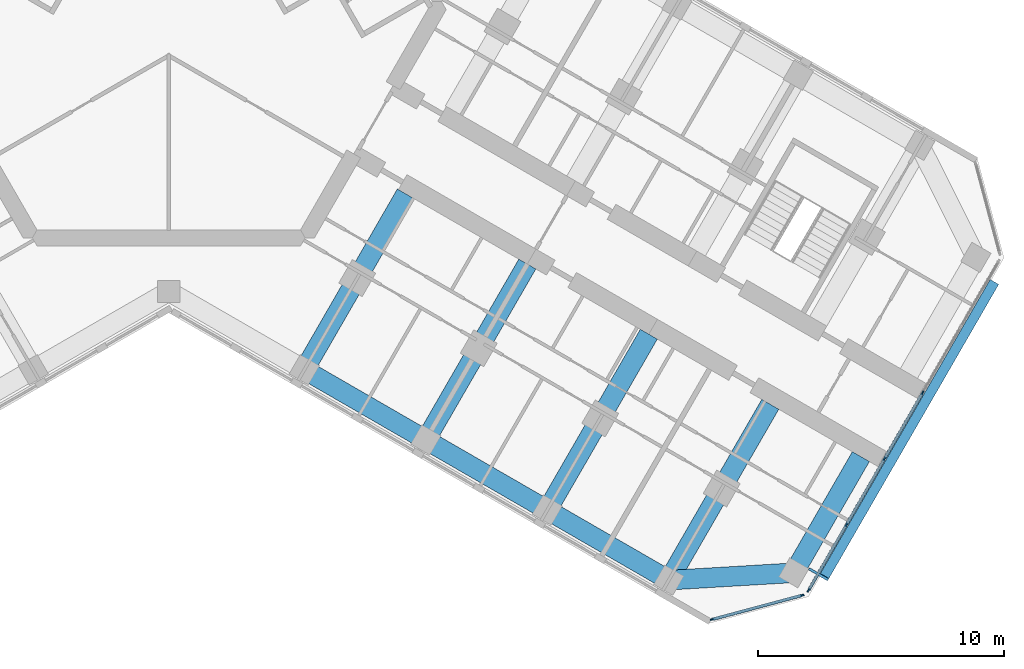
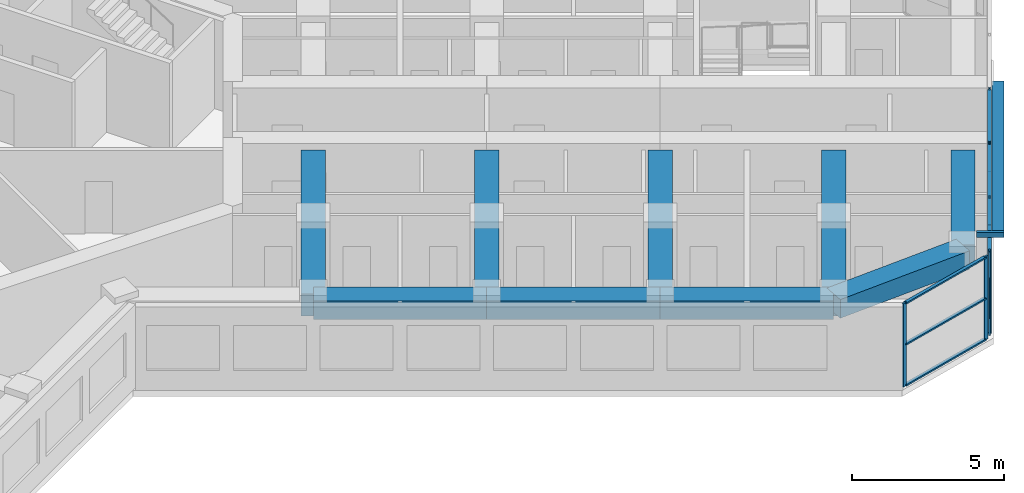
# One storey, part 4 of 16: 17 members, 9 beams, 2 elements without a shape of their own.
"""IFC4 building model written with IfcOpenShell, lengths in metres."""

from ifc_helpers import new_model, si_unit, direction, frame, origin, origin_2d, place, context, subcontext, project, spatial, rectangle, hollow_rectangle, extrude, material, material_profile, profile_set, type_object, element, aggregate, save


model = new_model("IFC4")

# Units and contexts
model_context = context("Model", 3, precision=1e-05, world=origin(), true_north=direction((0.0, 1.0)))
body_context = subcontext(model_context, "Body", "Model", "MODEL_VIEW")
ifc_project = project(units=[si_unit("LENGTHUNIT", "METRE"), si_unit("AREAUNIT", "SQUARE_METRE"), si_unit("VOLUMEUNIT", "CUBIC_METRE"), si_unit("PLANEANGLEUNIT", "RADIAN"), si_unit("MASSUNIT", "GRAM", prefix="KILO")], contexts=[model_context])

# Site, building, storey
site_placement = place(None, origin())
site = spatial("IfcSite", under=ifc_project, at=site_placement, CompositionType="ELEMENT")
building_placement = place(site_placement, origin())
building = spatial("IfcBuilding", under=site, at=building_placement, Name="Kosmar Iwan School Tower", CompositionType="ELEMENT")
storey_placement = place(building_placement, frame((0.0, 0.0, 197.39990234375)))
storey = spatial("IfcBuildingStorey", under=building, at=storey_placement, Name="L49", CompositionType="ELEMENT", Elevation=197.39990234375)

# Members
ifc_material_1 = material(Name="Black anodised aluminium", Category="aluminium")
ifc_material_profile_1 = material_profile(ifc_material_1, rectangle(XDim=0.10009765625, YDim=0.39990234375, at=origin_2d()), Name="FIN 100x400")
ifc_profile_set_1 = profile_set([ifc_material_profile_1], Name="Black anodised aluminium")
member_type_1 = type_object("IfcMemberType", Name="Diagonal fin 100x400", PredefinedType="USERDEFINED", material=ifc_profile_set_1)
member_1_placement = place(storey_placement, frame((33.54345703125, -11.40087890625, -0.14990234375), z_axis=(-0.483793446988, -0.837970316603, 0.25248692866), x_axis=(0.126241714543, 0.218661104574, 0.96760030532)))
element("IfcMember", 1, at=member_1_placement, inside=storey, type_object=member_type_1, Name="Diagonal fin L49-F01", ObjectType="FIN", PredefinedType="USERDEFINED", context=body_context, shape_type="SweptSolid", body=[
    extrude(rectangle(XDim=0.10009765625, YDim=0.39990234375, at=origin_2d()), origin(), (0.0, 0.0, 1.0), 14.258544921875),
])
ifc_material_2 = material(Name="Steel S355", Category="steel")
ifc_material_profile_2 = material_profile(ifc_material_2, hollow_rectangle(XDim=0.10009765625, YDim=0.199951171875, WallThickness=0.008056640625, at=origin_2d()), Name="RHS 200x100x8")
ifc_profile_set_2 = profile_set([ifc_material_profile_2], Name="Steel S355")
member_type_2 = type_object("IfcMemberType", Name="Fin bracket RHS 200x100", PredefinedType="USERDEFINED", material=ifc_profile_set_2)
member_2_placement = place(storey_placement, frame((26.01318359375, -23.0439453125, 3.47509765625), z_axis=(0.866013897511, -0.50001992892, 0.0), x_axis=(0.50001992892, 0.866013897511, 0.0)))
element("IfcMember", 2, at=member_2_placement, inside=storey, type_object=member_type_2, Name="Fin bracket L50", ObjectType="FIN BRACKET", PredefinedType="USERDEFINED", context=body_context, shape_type="SweptSolid", body=[
    extrude(hollow_rectangle(XDim=0.10009765625, YDim=0.199951171875, WallThickness=0.008056640625, at=origin_2d()), origin(), (0.0, 0.0, 1.0), 0.89990234375),
])

# Curtain wall, members
ifc_material_3 = material(Name="Dark glass in black aluminium frame", Category="aluminium")
curtain_wall_type_1 = type_object("IfcCurtainWallType", Name="Chamfer curtain wall dark glass", PredefinedType="USERDEFINED", material=ifc_material_3)
curtain_wall_1_placement = place(storey_placement, origin())
curtain_wall_1 = element("IfcCurtainWall", 3, at=curtain_wall_1_placement, inside=storey, type_object=curtain_wall_type_1, Name="Curtain wall L49-F00", ObjectType="FACETED CURTAIN WALL", PredefinedType="USERDEFINED")
ifc_material_4 = material(Name="Black anodised aluminium", Category="aluminium")
ifc_material_profile_3 = material_profile(ifc_material_4, rectangle(XDim=0.06005859375, YDim=0.159912109375, at=origin_2d()), Name="MULLION 60x160")
ifc_profile_set_3 = profile_set([ifc_material_profile_3], Name="Black anodised aluminium")
member_type_3 = type_object("IfcMemberType", Name="Mullion 60x160", PredefinedType="MULLION", material=ifc_profile_set_3)
member_3_placement = place(storey_placement, frame((22.0830078125, -25.102294921875, 0.0), z_axis=(0.0, 0.0, 1.0), x_axis=(-0.258818861462, 0.965925875495, 0.0)))
member_3 = element("IfcMember", 4, at=member_3_placement, type_object=member_type_3, Name="CW2 mullion 1", PredefinedType="MULLION", context=body_context, shape_type="SweptSolid", body=[
    extrude(rectangle(XDim=0.06005859375, YDim=0.159912109375, at=origin_2d()), origin(), (0.0, 0.0, 1.0), 3.35009765625),
])
member_4_placement = place(storey_placement, frame((25.733154296875, -24.124267578125, 0.0), z_axis=(0.0, 0.0, 1.0), x_axis=(-0.258818861462, 0.965925875495, 0.0)))
member_4 = element("IfcMember", 5, at=member_4_placement, type_object=member_type_3, Name="CW2 mullion 2", PredefinedType="MULLION", context=body_context, shape_type="SweptSolid", body=[
    extrude(rectangle(XDim=0.06005859375, YDim=0.159912109375, at=origin_2d()), origin(), (0.0, 0.0, 1.0), 3.35009765625),
])

ifc_material_5 = material(Name="Dark glass in black aluminium frame", Category="aluminium")
curtain_wall_type_2 = type_object("IfcCurtainWallType", Name="Tower curtain wall dark glass", PredefinedType="USERDEFINED", material=ifc_material_5)
curtain_wall_2_placement = place(storey_placement, origin())
curtain_wall_2 = element("IfcCurtainWall", 6, at=curtain_wall_2_placement, inside=storey, type_object=curtain_wall_type_2, Name="Curtain wall L49-F01", ObjectType="UNITISED CURTAIN WALL", PredefinedType="USERDEFINED")
member_5_placement = place(storey_placement, frame((25.9970703125, -23.921630859375, 0.0), z_axis=(0.0, 0.0, 1.0), x_axis=(-0.866025405329, 0.499999997325, 0.0)))
member_5 = element("IfcMember", 7, at=member_5_placement, type_object=member_type_3, Name="CW1 mullion 1", PredefinedType="MULLION", context=body_context, shape_type="SweptSolid", body=[
    extrude(rectangle(XDim=0.06005859375, YDim=0.159912109375, at=origin_2d()), origin(), (0.0, 0.0, 1.0), 3.35009765625),
])
member_6_placement = place(storey_placement, frame((27.53173828125, -21.263671875, 0.0), z_axis=(0.0, 0.0, 1.0), x_axis=(-0.866025405329, 0.499999997325, 0.0)))
member_6 = element("IfcMember", 8, at=member_6_placement, type_object=member_type_3, Name="CW1 mullion 2", PredefinedType="MULLION", context=body_context, shape_type="SweptSolid", body=[
    extrude(rectangle(XDim=0.06005859375, YDim=0.159912109375, at=origin_2d()), origin(), (0.0, 0.0, 1.0), 3.35009765625),
])
member_7_placement = place(storey_placement, frame((29.081298828125, -18.57958984375, 0.0), z_axis=(0.0, 0.0, 1.0), x_axis=(-0.866025405329, 0.499999997325, 0.0)))
member_7 = element("IfcMember", 9, at=member_7_placement, type_object=member_type_3, Name="CW1 mullion 3", PredefinedType="MULLION", context=body_context, shape_type="SweptSolid", body=[
    extrude(rectangle(XDim=0.06005859375, YDim=0.159912109375, at=origin_2d()), origin(), (0.0, 0.0, 1.0), 3.35009765625),
])
member_8_placement = place(storey_placement, frame((30.631103515625, -15.8955078125, 0.0), z_axis=(0.0, 0.0, 1.0), x_axis=(-0.866025405329, 0.499999997325, 0.0)))
member_8 = element("IfcMember", 10, at=member_8_placement, type_object=member_type_3, Name="CW1 mullion 4", PredefinedType="MULLION", context=body_context, shape_type="SweptSolid", body=[
    extrude(rectangle(XDim=0.06005859375, YDim=0.159912109375, at=origin_2d()), origin(), (0.0, 0.0, 1.0), 3.35009765625),
])

# Beams
ifc_material_6 = material(Name="Concrete C50/60", Category="concrete")
ifc_material_profile_4 = material_profile(ifc_material_6, rectangle(XDim=0.800048828125, YDim=0.75, at=origin_2d()), Name="RC 800x750")
ifc_profile_set_4 = profile_set([ifc_material_profile_4], Name="Concrete C50/60")
beam_type_1 = type_object("IfcBeamType", Name="RC edge beam 800x750", PredefinedType="BEAM", material=ifc_profile_set_4)
beam_1_placement = place(storey_placement, frame((5.5087890625, -14.95849609375, 2.97509765625), z_axis=(0.866033658841, -0.49998570155, 0.0), x_axis=(0.49998570155, 0.866033658841, 0.0)))
element("IfcBeam", 11, at=beam_1_placement, inside=storey, type_object=beam_type_1, Name="Edge beam CR2", PredefinedType="BEAM", context=body_context, shape_type="SweptSolid", body=[
    extrude(rectangle(XDim=0.800048828125, YDim=0.75, at=origin_2d()), origin(), (0.0, 0.0, 1.0), 5.699951171875),
])
beam_2_placement = place(storey_placement, frame((10.445068359375, -17.808349609375, 2.97509765625), z_axis=(0.866025820012, -0.499999279071, 0.0), x_axis=(0.499999279071, 0.866025820012, 0.0)))
element("IfcBeam", 12, at=beam_2_placement, inside=storey, type_object=beam_type_1, Name="Edge beam CR3", PredefinedType="BEAM", context=body_context, shape_type="SweptSolid", body=[
    extrude(rectangle(XDim=0.800048828125, YDim=0.75, at=origin_2d()), origin(), (0.0, 0.0, 1.0), 5.7001953125),
])
beam_3_placement = place(storey_placement, frame((15.381591796875, -20.658447265625, 2.97509765625), z_axis=(0.866015111908, -0.50001782563, 0.0), x_axis=(0.50001782563, 0.866015111908, 0.0)))
element("IfcBeam", 13, at=beam_3_placement, inside=storey, type_object=beam_type_1, Name="Edge beam CR4", PredefinedType="BEAM", context=body_context, shape_type="SweptSolid", body=[
    extrude(rectangle(XDim=0.800048828125, YDim=0.75, at=origin_2d()), origin(), (0.0, 0.0, 1.0), 5.699951171875),
])
ifc_material_7 = material(Name="Concrete C50/60", Category="concrete")
ifc_material_profile_5 = material_profile(ifc_material_7, rectangle(XDim=0.800048828125, YDim=0.75, at=origin_2d()), Name="RC 800x750")
ifc_profile_set_5 = profile_set([ifc_material_profile_5], Name="Concrete C50/60")
beam_type_2 = type_object("IfcBeamType", Name="RC tip beam 800x750", PredefinedType="BEAM", material=ifc_profile_set_5)
beam_4_placement = place(storey_placement, frame((20.31787109375, -23.508544921875, 2.97509765625), z_axis=(0.998260616478, 0.058955420358, 0.0), x_axis=(-0.058955420358, 0.998260616478, 0.0)))
element("IfcBeam", 14, at=beam_4_placement, inside=storey, type_object=beam_type_2, Name="Tip beam CR", PredefinedType="BEAM", context=body_context, shape_type="SweptSolid", body=[
    extrude(rectangle(XDim=0.800048828125, YDim=0.75, at=origin_2d()), origin(), (0.0, 0.0, 1.0), 5.08935546875),
])
beam_5_placement = place(storey_placement, frame((25.3984375, -23.20849609375, 2.97509765625), z_axis=(0.500022328685, 0.866012511928, 0.0), x_axis=(-0.866012511928, 0.500022328685, 0.0)))
element("IfcBeam", 15, at=beam_5_placement, inside=storey, type_object=beam_type_2, Name="Tip beam CR to corridor wall", PredefinedType="BEAM", context=body_context, shape_type="SweptSolid", body=[
    extrude(rectangle(XDim=0.800048828125, YDim=0.75, at=origin_2d()), origin(), (0.0, 0.0, 1.0), 5.449951171875),
])
ifc_material_8 = material(Name="Concrete C50/60", Category="concrete")
ifc_material_profile_6 = material_profile(ifc_material_8, rectangle(XDim=0.800048828125, YDim=0.89990234375, at=origin_2d()), Name="RC 800x900")
ifc_profile_set_6 = profile_set([ifc_material_profile_6], Name="Concrete C50/60")
beam_type_3 = type_object("IfcBeamType", Name="RC transverse beam 800x900", PredefinedType="BEAM", material=ifc_profile_set_6)
beam_6_placement = place(storey_placement, frame((5.5087890625, -14.95849609375, 2.900146484375), z_axis=(0.499996545922, 0.866027397988, 0.0), x_axis=(-0.866027397988, 0.499996545922, 0.0)))
element("IfcBeam", 16, at=beam_6_placement, inside=storey, type_object=beam_type_3, Name="Transverse beam CR1", PredefinedType="BEAM", context=body_context, shape_type="SweptSolid", body=[
    extrude(rectangle(XDim=0.800048828125, YDim=0.89990234375, at=origin_2d()), origin(), (0.0, 0.0, 1.0), 8.25),
])
beam_7_placement = place(storey_placement, frame((10.445068359375, -17.808349609375, 2.900146484375), z_axis=(0.500009360108, 0.866019999656, 0.0), x_axis=(-0.866019999656, 0.500009360108, 0.0)))
element("IfcBeam", 17, at=beam_7_placement, inside=storey, type_object=beam_type_3, Name="Transverse beam CR2", PredefinedType="BEAM", context=body_context, shape_type="SweptSolid", body=[
    extrude(rectangle(XDim=0.800048828125, YDim=0.89990234375, at=origin_2d()), origin(), (0.0, 0.0, 1.0), 8.249755859375),
])
for number, where, z_axis, x_axis, name in (
    (18, (15.381591796875, -20.658447265625, 2.900146484375), (0.499996545922, 0.866027397988, 0.0), (-0.866027397988, 0.499996545922, 0.0), "Transverse beam CR3"),
    (19, (20.31787109375, -23.508544921875, 2.900146484375), (0.499996545922, 0.866027397988, 0.0), (-0.866027397988, 0.499996545922, 0.0), "Transverse beam CR4"),
):
    element("IfcBeam", number, at=place(storey_placement, frame(where, z_axis=z_axis, x_axis=x_axis)), inside=storey, type_object=beam_type_3, Name=name, PredefinedType="BEAM", context=body_context, shape_type="SweptSolid", body=[
        extrude(rectangle(XDim=0.800048828125, YDim=0.89990234375, at=origin_2d()), origin(), (0.0, 0.0, 1.0), 8.25),
    ])

# Member
ifc_material_9 = material(Name="Black anodised aluminium", Category="aluminium")
ifc_material_profile_7 = material_profile(ifc_material_9, rectangle(XDim=0.1201171875, YDim=0.06005859375, at=origin_2d()), Name="TRANSOM 60x120")
ifc_profile_set_7 = profile_set([ifc_material_profile_7], Name="Black anodised aluminium")
member_type_4 = type_object("IfcMemberType", Name="Transom 60x120", PredefinedType="USERDEFINED", material=ifc_profile_set_7)
member_9_placement = place(storey_placement, frame((22.11181640625, -25.094482421875, 0.030029296875), z_axis=(0.965923731726, 0.258826861991, 0.0), x_axis=(-0.258826861991, 0.965923731726, 0.0)))
member_9 = element("IfcMember", 20, at=member_9_placement, type_object=member_type_4, Name="CW2 transom 1.1", ObjectType="TRANSOM", PredefinedType="USERDEFINED", context=body_context, shape_type="SweptSolid", body=[
    extrude(rectangle(XDim=0.1201171875, YDim=0.06005859375, at=origin_2d()), origin(), (0.0, 0.0, 1.0), 3.71923828125),
])

member_10_placement = place(storey_placement, frame((22.11181640625, -25.094482421875, 1.675048828125), z_axis=(0.965923731726, 0.258826861991, 0.0), x_axis=(-0.258826861991, 0.965923731726, 0.0)))
member_10 = element("IfcMember", 21, at=member_10_placement, type_object=member_type_4, Name="CW2 transom 1.2", ObjectType="TRANSOM", PredefinedType="USERDEFINED", context=body_context, shape_type="SweptSolid", body=[
    extrude(rectangle(XDim=0.1201171875, YDim=0.06005859375, at=origin_2d()), origin(), (0.0, 0.0, 1.0), 3.71923828125),
])

member_11_placement = place(storey_placement, frame((22.11181640625, -25.094482421875, 3.320068359375), z_axis=(0.965923731726, 0.258826861991, 0.0), x_axis=(-0.258826861991, 0.965923731726, 0.0)))
member_11 = element("IfcMember", 22, at=member_11_placement, type_object=member_type_4, Name="CW2 transom 1.3", ObjectType="TRANSOM", PredefinedType="USERDEFINED", context=body_context, shape_type="SweptSolid", body=[
    extrude(rectangle(XDim=0.1201171875, YDim=0.06005859375, at=origin_2d()), origin(), (0.0, 0.0, 1.0), 3.71923828125),
])

aggregate(curtain_wall_1, [member_3, member_4, member_9, member_10, member_11])

member_12_placement = place(storey_placement, frame((26.01220703125, -23.895751953125, 0.030029296875), z_axis=(0.499986971506, 0.866032925658, 0.0), x_axis=(-0.866032925658, 0.499986971506, 0.0)))
member_12 = element("IfcMember", 23, at=member_12_placement, type_object=member_type_4, Name="CW1 transom 1.1", ObjectType="TRANSOM", PredefinedType="USERDEFINED", context=body_context, shape_type="SweptSolid", body=[
    extrude(rectangle(XDim=0.1201171875, YDim=0.06005859375, at=origin_2d()), origin(), (0.0, 0.0, 1.0), 3.00927734375),
])

member_13_placement = place(storey_placement, frame((26.01220703125, -23.895751953125, 3.320068359375), z_axis=(0.499986971506, 0.866032925658, 0.0), x_axis=(-0.866032925658, 0.499986971506, 0.0)))
member_13 = element("IfcMember", 24, at=member_13_placement, type_object=member_type_4, Name="CW1 transom 1.2", ObjectType="TRANSOM", PredefinedType="USERDEFINED", context=body_context, shape_type="SweptSolid", body=[
    extrude(rectangle(XDim=0.1201171875, YDim=0.06005859375, at=origin_2d()), origin(), (0.0, 0.0, 1.0), 3.00927734375),
])

member_14_placement = place(storey_placement, frame((27.546875, -21.237548828125, 0.030029296875), z_axis=(0.499975102327, 0.866039777986, 0.0), x_axis=(-0.866039777986, 0.499975102327, 0.0)))
member_14 = element("IfcMember", 25, at=member_14_placement, type_object=member_type_4, Name="CW1 transom 2.1", ObjectType="TRANSOM", PredefinedType="USERDEFINED", context=body_context, shape_type="SweptSolid", body=[
    extrude(rectangle(XDim=0.1201171875, YDim=0.06005859375, at=origin_2d()), origin(), (0.0, 0.0, 1.0), 3.039306640625),
])

member_15_placement = place(storey_placement, frame((27.546875, -21.237548828125, 3.320068359375), z_axis=(0.499975102327, 0.866039777986, 0.0), x_axis=(-0.866039777986, 0.499975102327, 0.0)))
member_15 = element("IfcMember", 26, at=member_15_placement, type_object=member_type_4, Name="CW1 transom 2.2", ObjectType="TRANSOM", PredefinedType="USERDEFINED", context=body_context, shape_type="SweptSolid", body=[
    extrude(rectangle(XDim=0.1201171875, YDim=0.06005859375, at=origin_2d()), origin(), (0.0, 0.0, 1.0), 3.039306640625),
])

member_16_placement = place(storey_placement, frame((29.096435546875, -18.553466796875, 0.030029296875), z_axis=(0.499975102327, 0.866039777986, 0.0), x_axis=(-0.866039777986, 0.499975102327, 0.0)))
member_16 = element("IfcMember", 27, at=member_16_placement, type_object=member_type_4, Name="CW1 transom 3.1", ObjectType="TRANSOM", PredefinedType="USERDEFINED", context=body_context, shape_type="SweptSolid", body=[
    extrude(rectangle(XDim=0.1201171875, YDim=0.06005859375, at=origin_2d()), origin(), (0.0, 0.0, 1.0), 3.039306640625),
])

member_17_placement = place(storey_placement, frame((29.096435546875, -18.553466796875, 3.320068359375), z_axis=(0.499975102327, 0.866039777986, 0.0), x_axis=(-0.866039777986, 0.499975102327, 0.0)))
member_17 = element("IfcMember", 28, at=member_17_placement, type_object=member_type_4, Name="CW1 transom 3.2", ObjectType="TRANSOM", PredefinedType="USERDEFINED", context=body_context, shape_type="SweptSolid", body=[
    extrude(rectangle(XDim=0.1201171875, YDim=0.06005859375, at=origin_2d()), origin(), (0.0, 0.0, 1.0), 3.039306640625),
])

aggregate(curtain_wall_2, [member_5, member_6, member_7, member_8, member_12, member_13, member_14, member_15, member_16, member_17])

save(model, "model.ifc")
